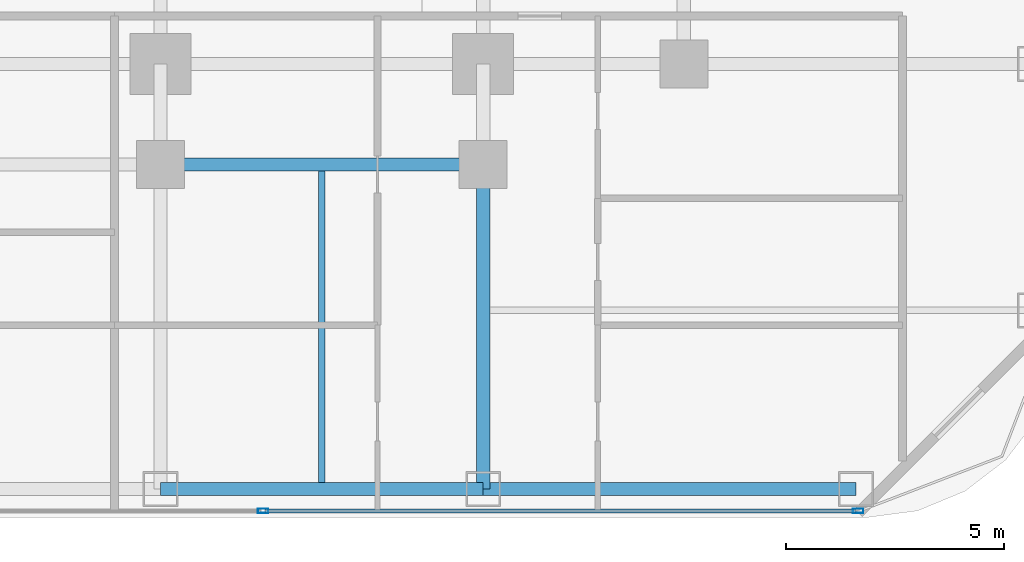
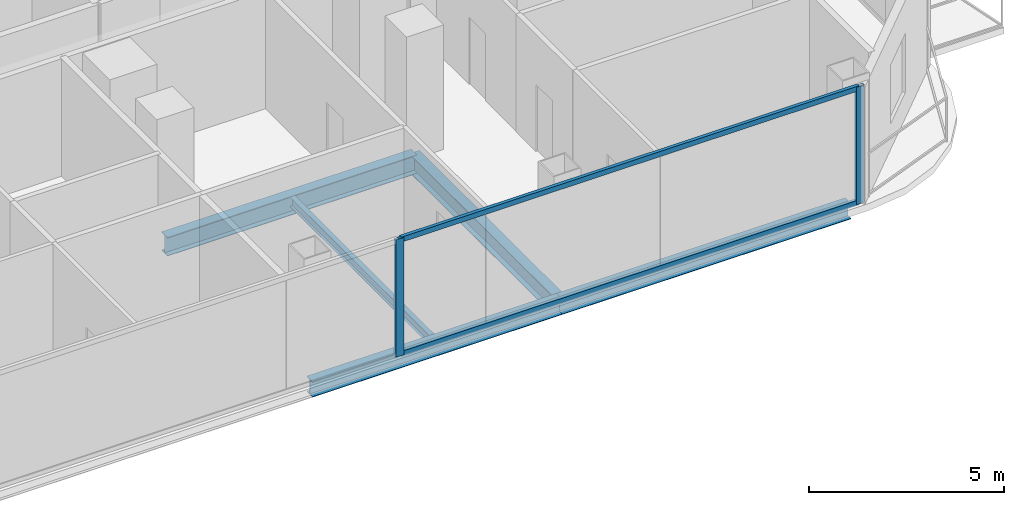
# One storey, part 8 of 27: 5 beams, 4 members, 1 element without a shape of its own.
"""IFC4 building model written with IfcOpenShell, lengths in metres."""

from ifc_helpers import new_model, si_unit, direction, frame, origin, origin_2d, place, context, subcontext, project, spatial, hollow_rectangle, i_section, extrude, material, layer, layer_set, material_profile, profile_set, type_object, element, aggregate, save


model = new_model("IFC4")

# Units and contexts
model_context = context("Model", 3, precision=1e-05, world=origin(), true_north=direction((0.0, 1.0)))
body_context = subcontext(model_context, "Body", "Model", "MODEL_VIEW")
ifc_project = project(units=[si_unit("LENGTHUNIT", "METRE"), si_unit("AREAUNIT", "SQUARE_METRE"), si_unit("VOLUMEUNIT", "CUBIC_METRE"), si_unit("PLANEANGLEUNIT", "RADIAN"), si_unit("MASSUNIT", "GRAM", prefix="KILO")], contexts=[model_context])

# Site, building, storey
site_placement = place(None, origin())
site = spatial("IfcSite", under=ifc_project, at=site_placement, CompositionType="ELEMENT")
building_placement = place(site_placement, origin())
building = spatial("IfcBuilding", under=site, at=building_placement, Name="Khorvyn Point Tower", CompositionType="ELEMENT")
storey_placement = place(building_placement, frame((0.0, 0.0, 42.300048828125)))
storey = spatial("IfcBuildingStorey", under=building, at=storey_placement, Name="L11", CompositionType="ELEMENT", Elevation=42.300048828125)

# Curtain wall, members
ifc_material_1 = material(Name="Anodised aluminium 6063-T6 and laminated Low-E glass", Category="aluminium")
ifc_layer = layer(ifc_material_1, 0.18994140625)
ifc_layer_set = layer_set([ifc_layer], Name="Stick-Built Finned Residential Curtain Wall CW-SYS-02")
curtain_wall_type = type_object("IfcCurtainWallType", Name="Stick-Built Finned Residential Curtain Wall CW-SYS-02", PredefinedType="NOTDEFINED", material=ifc_layer_set)
curtain_wall_placement = place(storey_placement, origin())
curtain_wall = element("IfcCurtainWall", 1, at=curtain_wall_placement, inside=storey, type_object=curtain_wall_type, Name="Curtain Wall", PredefinedType="NOTDEFINED")
ifc_material_2 = material(Name="Anodised aluminium 6063-T6", Category="aluminium")
ifc_material_profile_1 = material_profile(ifc_material_2, hollow_rectangle(XDim=0.10009765625, YDim=0.239990234375, WallThickness=0.0048828125, at=origin_2d()))
ifc_profile_set_1 = profile_set([ifc_material_profile_1], Name="Anodised aluminium 6063-T6 ALU-MUL-100x240")
member_type_1 = type_object("IfcMemberType", Name="Anodised Aluminium 6063-T6 Mullion ALU-MUL-100x240", PredefinedType="MULLION", material=ifc_profile_set_1)
member_1_placement = place(storey_placement, frame((23.39990234375, -25.050048828125, 0.0), z_axis=(0.0, 0.0, 1.0), x_axis=(0.0, -1.0, 0.0)))
member_1 = element("IfcMember", 2, at=member_1_placement, type_object=member_type_1, Name="Transom", PredefinedType="MULLION", context=body_context, shape_type="SweptSolid", body=[
    extrude(hollow_rectangle(XDim=0.10009765625, YDim=0.239990234375, WallThickness=0.0048828125, at=origin_2d()), origin(), (0.0, 0.0, 1.0), 3.679931640625),
])
member_2_placement = place(storey_placement, frame((9.75, -25.050048828125, 0.0), z_axis=(0.0, 0.0, 1.0), x_axis=(0.0, -1.0, 0.0)))
member_2 = element("IfcMember", 3, at=member_2_placement, type_object=member_type_1, Name="Transom", PredefinedType="MULLION", context=body_context, shape_type="SweptSolid", body=[
    extrude(hollow_rectangle(XDim=0.10009765625, YDim=0.239990234375, WallThickness=0.0048828125, at=origin_2d()), origin(), (0.0, 0.0, 1.0), 3.679931640625),
])
ifc_material_profile_2 = material_profile(ifc_material_2, hollow_rectangle(XDim=0.10009765625, YDim=0.159912109375, WallThickness=0.00439453125, at=origin_2d()))
ifc_profile_set_2 = profile_set([ifc_material_profile_2], Name="Anodised aluminium 6063-T6 ALU-TRN-100x160")
member_type_2 = type_object("IfcMemberType", Name="Anodised Aluminium 6063-T6 Transom ALU-TRN-100x160", PredefinedType="USERDEFINED", material=ifc_profile_set_2)
member_3_placement = place(storey_placement, frame((23.35009765625, -25.050048828125, 0.050048828125), z_axis=(-1.0, 0.0, 0.0), x_axis=(0.0, -1.0, 0.0)))
member_3 = element("IfcMember", 4, at=member_3_placement, type_object=member_type_2, Name="Transom", ObjectType="TRANSOM", PredefinedType="USERDEFINED", context=body_context, shape_type="SweptSolid", body=[
    extrude(hollow_rectangle(XDim=0.10009765625, YDim=0.159912109375, WallThickness=0.00439453125, at=origin_2d()), origin(), (0.0, 0.0, 1.0), 13.550048828125),
])
member_4_placement = place(storey_placement, frame((23.35009765625, -25.050048828125, 3.6298828125), z_axis=(-1.0, 0.0, 0.0), x_axis=(0.0, -1.0, 0.0)))
member_4 = element("IfcMember", 5, at=member_4_placement, type_object=member_type_2, Name="Transom", ObjectType="TRANSOM", PredefinedType="USERDEFINED", context=body_context, shape_type="SweptSolid", body=[
    extrude(hollow_rectangle(XDim=0.10009765625, YDim=0.159912109375, WallThickness=0.00439453125, at=origin_2d()), origin(), (0.0, 0.0, 1.0), 13.550048828125),
])
aggregate(curtain_wall, [member_1, member_2, member_3, member_4])

# Beams
ifc_material_3 = material(Name="Steel S355", Category="steel")
ifc_material_profile_3 = material_profile(ifc_material_3, i_section(OverallWidth=0.300048828125, OverallDepth=0.587890625, WebThickness=0.011962890625, FlangeThickness=0.02001953125, at=origin_2d()))
ifc_profile_set_3 = profile_set([ifc_material_profile_3], Name="Steel S355 H588x300x12x20")
beam_type_1 = type_object("IfcBeamType", Name="Steel S355 Beam H588x300x12x20", PredefinedType="BEAM", material=ifc_profile_set_3)
beam_1_placement = place(storey_placement, frame((7.39990234375, -17.10009765625, -0.51416015625), z_axis=(1.0, 0.0, 0.0), x_axis=(0.0, 1.0, 0.0)))
element("IfcBeam", 6, at=beam_1_placement, inside=storey, type_object=beam_type_1, Name="Beam", PredefinedType="BEAM", context=body_context, shape_type="SweptSolid", body=[
    extrude(i_section(OverallWidth=0.300048828125, OverallDepth=0.587890625, WebThickness=0.011962890625, FlangeThickness=0.02001953125, at=origin_2d()), origin(), (0.0, 0.0, 1.0), 7.400146484375),
])
beam_2_placement = place(storey_placement, frame((14.800048828125, -24.550048828125, -0.51416015625), z_axis=(0.0, 1.0, 0.0), x_axis=(-1.0, 0.0, 0.0)))
element("IfcBeam", 7, at=beam_2_placement, inside=storey, type_object=beam_type_1, Name="Beam", PredefinedType="BEAM", context=body_context, shape_type="SweptSolid", body=[
    extrude(i_section(OverallWidth=0.300048828125, OverallDepth=0.587890625, WebThickness=0.011962890625, FlangeThickness=0.02001953125, at=origin_2d()), origin(), (0.0, 0.0, 1.0), 7.449951171875),
])
ifc_material_profile_4 = material_profile(ifc_material_3, i_section(OverallWidth=0.14990234375, OverallDepth=0.300048828125, WebThickness=0.006591796875, FlangeThickness=0.009033203125, at=origin_2d()))
ifc_profile_set_4 = profile_set([ifc_material_profile_4], Name="Steel S355 H300x150x6.5x9")
beam_type_2 = type_object("IfcBeamType", Name="Steel S355 Joist H300x150x6.5x9", PredefinedType="JOIST", material=ifc_profile_set_4)
beam_3_placement = place(storey_placement, frame((11.10009765625, -24.39990234375, -0.3701171875), z_axis=(0.0, 1.0, 0.0), x_axis=(-1.0, 0.0, 0.0)))
element("IfcBeam", 8, at=beam_3_placement, inside=storey, type_object=beam_type_2, Name="Beam", PredefinedType="JOIST", context=body_context, shape_type="SweptSolid", body=[
    extrude(i_section(OverallWidth=0.14990234375, OverallDepth=0.300048828125, WebThickness=0.006591796875, FlangeThickness=0.009033203125, at=origin_2d()), origin(), (0.0, 0.0, 1.0), 7.14990234375),
])
ifc_material_profile_5 = material_profile(ifc_material_3, i_section(OverallWidth=0.300048828125, OverallDepth=0.488037109375, WebThickness=0.010986328125, FlangeThickness=0.01806640625, at=origin_2d()))
ifc_profile_set_5 = profile_set([ifc_material_profile_5], Name="Steel S355 H488x300x11x18")
beam_type_3 = type_object("IfcBeamType", Name="Steel S355 Spandrel H488x300x11x18", PredefinedType="SPANDREL", material=ifc_profile_set_5)
beam_4_placement = place(storey_placement, frame((7.39990234375, -24.550048828125, -0.464111328125), z_axis=(1.0, 0.0, 0.0), x_axis=(0.0, 1.0, 0.0)))
element("IfcBeam", 9, at=beam_4_placement, inside=storey, type_object=beam_type_3, Name="Beam", PredefinedType="SPANDREL", context=body_context, shape_type="SweptSolid", body=[
    extrude(i_section(OverallWidth=0.300048828125, OverallDepth=0.488037109375, WebThickness=0.010986328125, FlangeThickness=0.01806640625, at=origin_2d()), origin(), (0.0, 0.0, 1.0), 7.400146484375),
])
beam_5_placement = place(storey_placement, frame((14.800048828125, -24.550048828125, -0.464111328125), z_axis=(1.0, 0.0, 0.0), x_axis=(0.0, 1.0, 0.0)))
element("IfcBeam", 10, at=beam_5_placement, inside=storey, type_object=beam_type_3, Name="Beam", PredefinedType="SPANDREL", context=body_context, shape_type="SweptSolid", body=[
    extrude(i_section(OverallWidth=0.300048828125, OverallDepth=0.488037109375, WebThickness=0.010986328125, FlangeThickness=0.01806640625, at=origin_2d()), origin(), (0.0, 0.0, 1.0), 8.550048828125),
])

save(model, "model.ifc")
